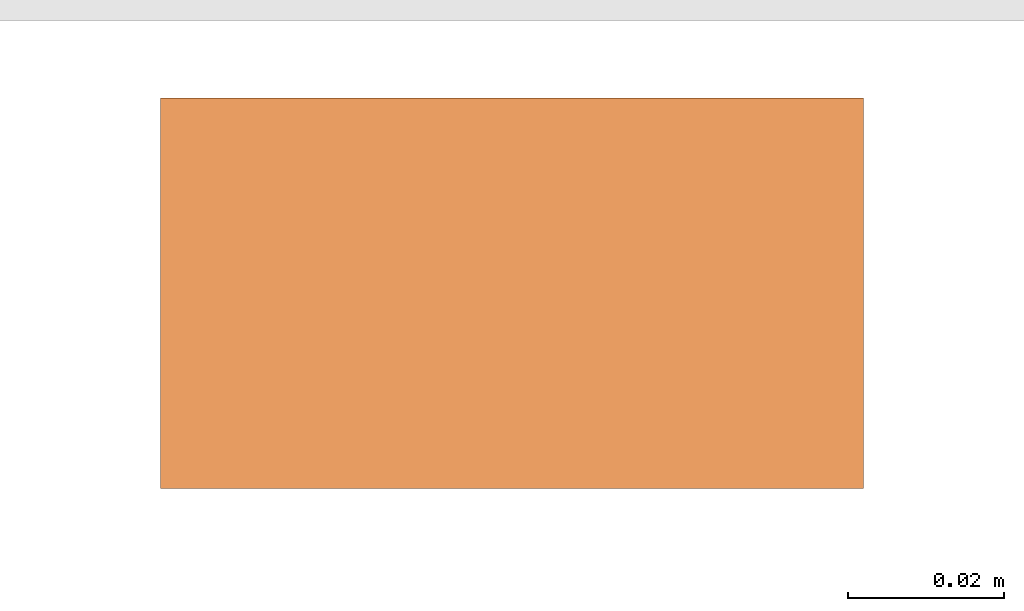
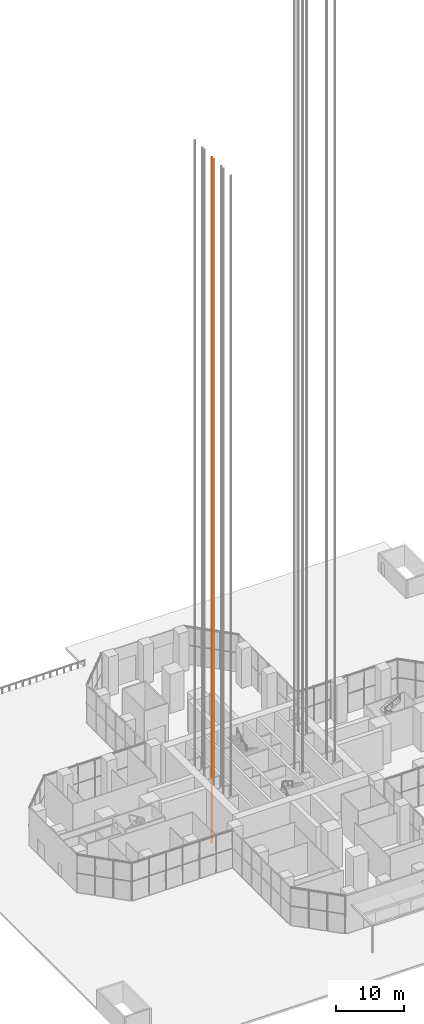
# One storey, part 34 of 43: 1 proxy.
"""IFC4 building model written with IfcOpenShell, lengths in metres."""

import ifcopenshell
import ifcopenshell.guid

model = None  # the IFC model being written
_history = None  # IfcOwnerHistory: only IFC2X3 demands one
_inside = {}  # id of a spatial element -> (the spatial element, [elements in it])
_under = {}  # id of a project, library or spatial element -> (it, [spatial elements below it])
_declared = {}  # id of a project -> (the project, [libraries it declares])
_typed = {}  # id of a type object -> (the type object, [elements of that type])
_made_of = {}  # id of a material, layer set ... -> (it, [elements and type objects made of it])


def new_model(schema):
    """Start an empty IFC model of exactly this schema.

    Asked for "IFC4X3", IfcOpenShell would pick the latest addendum, in which some entities
    have other attributes; the version numbers below select the first issue.
    IFC2X3 requires an IfcOwnerHistory on every rooted entity: one is made here for all.
    """
    global model, _history
    if schema == "IFC4X3":
        model = ifcopenshell.file(schema_version=(4, 3, 0, 0))
    else:
        model = ifcopenshell.file(schema=schema)
    _inside.clear()
    _under.clear()
    _declared.clear()
    _typed.clear()
    _made_of.clear()
    _history = None
    if model.schema == "IFC2X3":
        org = make("IfcOrganization", Name="unknown")
        user = make(
            "IfcPersonAndOrganization",
            ThePerson=make("IfcPerson", FamilyName="unknown"),
            TheOrganization=org,
        )
        app = make(
            "IfcApplication",
            ApplicationDeveloper=org,
            Version="unknown",
            ApplicationFullName="unknown",
            ApplicationIdentifier="unknown",
        )
        _history = make(
            "IfcOwnerHistory",
            OwningUser=user,
            OwningApplication=app,
            ChangeAction="ADDED",
            CreationDate=0,
        )
    return model


def make(cls, **values):
    """One entity of the class cls with the attributes given. An attribute that is None is left unset."""
    return model.create_entity(
        cls, **{name: value for name, value in values.items() if value is not None}
    )


def rooted(cls, **values):
    """An entity with a GlobalId (a new one), such as an element, a storey or a relation."""
    return make(cls, GlobalId=ifcopenshell.guid.new(), OwnerHistory=_history, **values)


def si_unit(unit_type, name, prefix=None):
    """IfcSIUnit, for example si_unit("LENGTHUNIT", "METRE", prefix="MILLI")."""
    return make("IfcSIUnit", UnitType=unit_type, Prefix=prefix, Name=name)


def assignment(units):
    """IfcUnitAssignment: the units of a project."""
    return None if units is None else make("IfcUnitAssignment", Units=units)


def point(xyz):
    """IfcCartesianPoint."""
    return None if xyz is None else make("IfcCartesianPoint", Coordinates=xyz)


def direction(xyz):
    """IfcDirection."""
    return None if xyz is None else make("IfcDirection", DirectionRatios=xyz)


def frame(location, z_axis=None, x_axis=None):
    """IfcAxis2Placement3D, a coordinate frame: its origin and axes. An axis left out is left unset."""
    return make(
        "IfcAxis2Placement3D",
        Location=point(location),
        Axis=direction(z_axis),
        RefDirection=direction(x_axis),
    )


def frame_2d(location, x_axis=None):
    """IfcAxis2Placement2D, a coordinate frame in the plane: its origin and x axis."""
    return make(
        "IfcAxis2Placement2D", Location=point(location), RefDirection=direction(x_axis)
    )


def origin():
    """The frame at (0, 0, 0) with its axes left unset."""
    return frame((0.0, 0.0, 0.0))


def origin_2d():
    """The frame at (0, 0) in the plane with its x axis left unset."""
    return frame_2d((0.0, 0.0))


def place(relative_to, where):
    """IfcLocalPlacement: puts the frame where relative to a parent placement (None: the world)."""
    return make(
        "IfcLocalPlacement", PlacementRelTo=relative_to, RelativePlacement=where
    )


def context(
    kind, dimensions, precision=None, world=None, true_north=None, identifier=None
):
    """IfcGeometricRepresentationContext, for example the 3D "Model" context."""
    return make(
        "IfcGeometricRepresentationContext",
        ContextIdentifier=identifier,
        ContextType=kind,
        CoordinateSpaceDimension=dimensions,
        Precision=precision,
        WorldCoordinateSystem=world,
        TrueNorth=true_north,
    )


def subcontext(parent, identifier, kind, view, scale=None):
    """IfcGeometricRepresentationSubContext, for example "Body" below "Model"."""
    return make(
        "IfcGeometricRepresentationSubContext",
        ContextIdentifier=identifier,
        ContextType=kind,
        ParentContext=parent,
        TargetScale=scale,
        TargetView=view,
    )


def project(units=None, contexts=None):
    """IfcProject with its units and contexts."""
    return rooted(
        "IfcProject",
        Name="project",
        RepresentationContexts=contexts,
        UnitsInContext=assignment(units),
    )


def spatial(cls, under=None, at=None, **own):
    """A site, building, storey or space (cls), placed at a placement, below another one or the project."""
    s = rooted(cls, ObjectPlacement=at, **own)
    if under is not None:
        _under.setdefault(under.id(), (under, []))[1].append(s)
    return s


def profile(cls, at=None, kind="AREA", **sizes):
    """A parametric profile (cls). Its sizes go by their IFC names, for example OverallWidth=200.0."""
    return make(cls, ProfileType=kind, Position=at, **sizes)


def rectangle(**sizes):
    """IfcRectangleProfileDef."""
    return profile("IfcRectangleProfileDef", **sizes)


def extrude(swept, where, along, depth):
    """IfcExtrudedAreaSolid: the profile swept, set in the frame where, extruded along a direction by depth."""
    return make(
        "IfcExtrudedAreaSolid",
        SweptArea=swept,
        Position=where,
        ExtrudedDirection=direction(along),
        Depth=depth,
    )


def shape(context_of_items, identifier, shape_type, items):
    """IfcShapeRepresentation: the items that make up one representation, for example the "Body"."""
    return make(
        "IfcShapeRepresentation",
        ContextOfItems=context_of_items,
        RepresentationIdentifier=identifier,
        RepresentationType=shape_type,
        Items=items,
    )


def material(Name=None, Category=None):
    """IfcMaterial."""
    return make("IfcMaterial", Name=Name, Category=Category)


def made_of(thing, what):
    """Note that an element or type object is made of a material, layer set ...; save() writes the relation."""
    if what is not None:
        _made_of.setdefault(what.id(), (what, []))[1].append(thing)
    return thing


def element(
    cls,
    number,
    at=None,
    inside=None,
    cuts=None,
    type_object=None,
    material=None,
    context=None,
    identifier="Body",
    shape_type=None,
    held_by="IfcProductDefinitionShape",
    body=None,
    shapes=None,
    **own,
):
    """One element of the class cls, such as IfcWall. Its Tag is "e" and its number.

    at: its placement. inside: the storey or other place that contains it. cuts: it is an
    opening in that element (IfcRelVoidsElement). A single representation is given by context,
    identifier, shape_type and body (its items); several are given by shapes. held_by: the class
    of the entity that holds the representations. save() writes the other relations.
    """
    e = rooted(cls, Tag="e%d" % number, ObjectPlacement=at, **own)
    if body is not None:
        shapes = [shape(context, identifier, shape_type, body)]
    if shapes is not None:
        e.Representation = make(held_by, Representations=shapes)
    if inside is not None:
        _inside.setdefault(inside.id(), (inside, []))[1].append(e)
    if cuts is not None:
        rooted(
            "IfcRelVoidsElement", RelatingBuildingElement=cuts, RelatedOpeningElement=e
        )
    if type_object is not None:
        _typed.setdefault(type_object.id(), (type_object, []))[1].append(e)
    return made_of(e, material)


def aggregate(whole, parts):
    """IfcRelAggregates: a whole, such as a stair, and the parts it consists of."""
    return rooted("IfcRelAggregates", RelatingObject=whole, RelatedObjects=parts)


def save(model, path):
    """Write the relations noted so far, then the file.

    IfcRelAggregates (storeys below a building ...), IfcRelContainedInSpatialStructure (elements
    in a storey), IfcRelDefinesByType, IfcRelAssociatesMaterial and IfcRelDeclares: one each for
    every whole, place, type object, material and project.
    """
    for whole, parts in _under.values():
        aggregate(whole, parts)
    for where, things in _inside.values():
        rooted(
            "IfcRelContainedInSpatialStructure",
            RelatedElements=things,
            RelatingStructure=where,
        )
    for kind, things in _typed.values():
        rooted("IfcRelDefinesByType", RelatedObjects=things, RelatingType=kind)
    for what, things in _made_of.values():
        rooted("IfcRelAssociatesMaterial", RelatedObjects=things, RelatingMaterial=what)
    for by, libraries in _declared.values():
        rooted("IfcRelDeclares", RelatingContext=by, RelatedDefinitions=libraries)
    model.write(path)


model = new_model("IFC4")

# Units and contexts
model_context = context("Model", 3, precision=1e-05, world=origin(), true_north=direction((0.0, 1.0)))
body_context = subcontext(model_context, "Body", "Model", "MODEL_VIEW")
ifc_project = project(units=[si_unit("LENGTHUNIT", "METRE"), si_unit("AREAUNIT", "SQUARE_METRE"), si_unit("VOLUMEUNIT", "CUBIC_METRE"), si_unit("PLANEANGLEUNIT", "RADIAN"), si_unit("MASSUNIT", "GRAM", prefix="KILO")], contexts=[model_context])

# Site, building, storey
site_placement = place(None, origin())
site = spatial("IfcSite", under=ifc_project, at=site_placement, CompositionType="ELEMENT")
building_placement = place(site_placement, origin())
building = spatial("IfcBuilding", under=site, at=building_placement, Name="Mizan Broadcast Tower", CompositionType="ELEMENT")
storey_placement = place(building_placement, origin())
storey = spatial("IfcBuildingStorey", under=building, at=storey_placement, Name="L00", CompositionType="ELEMENT", Elevation=0.0)

# Proxy
ifc_material = material(Name="Steel guide rail", Category="steel")
proxy_placement = place(storey_placement, frame((-8.800048828125, 0.2900390625, -5.0), z_axis=(0.0, 0.0, 1.0), x_axis=(1.0, 0.0, 0.0)))
element("IfcBuildingElementProxy", 1, at=proxy_placement, inside=storey, material=ifc_material, Name="Guide rail LA3-1", PredefinedType="NOTDEFINED", context=body_context, shape_type="SweptSolid", body=[
    extrude(rectangle(XDim=0.090087890625, YDim=0.050048828125, at=origin_2d()), origin(), (0.0, 0.0, 1.0), 122.969970703125),
])

save(model, "model.ifc")
